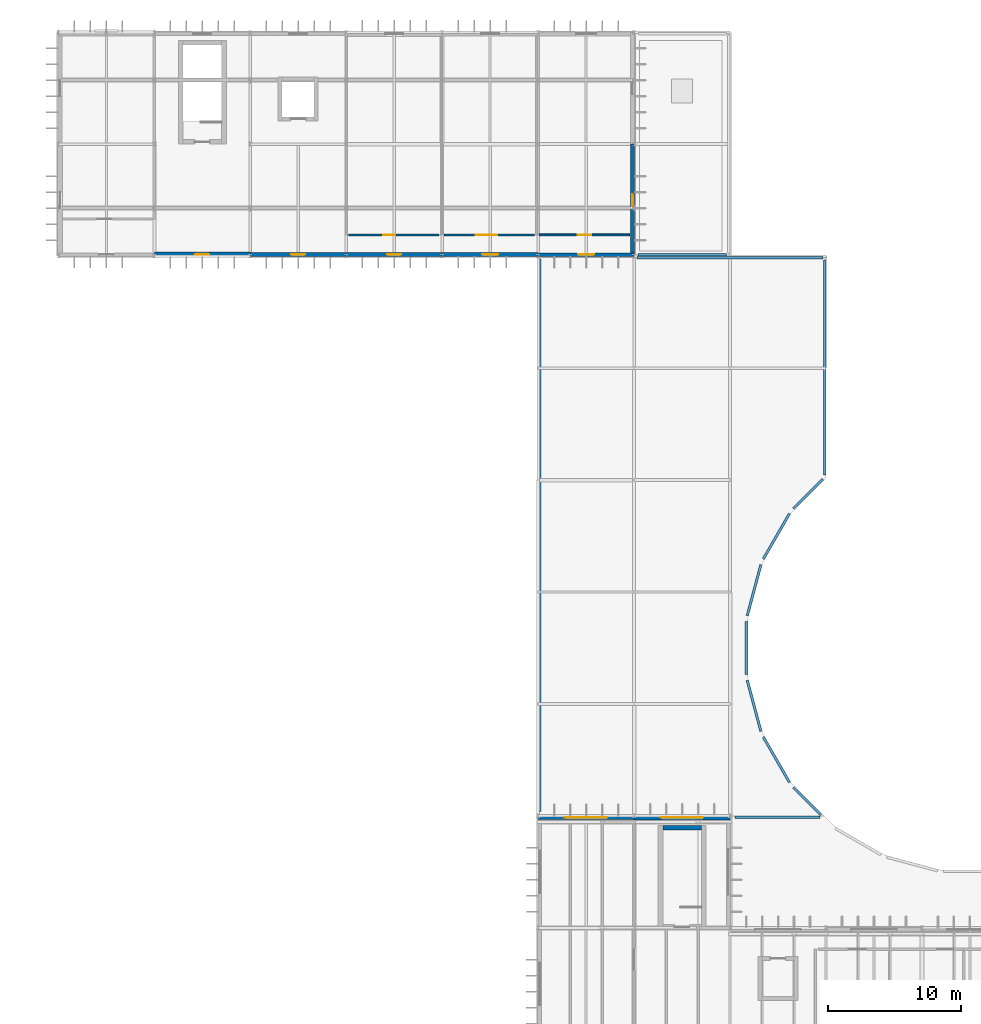
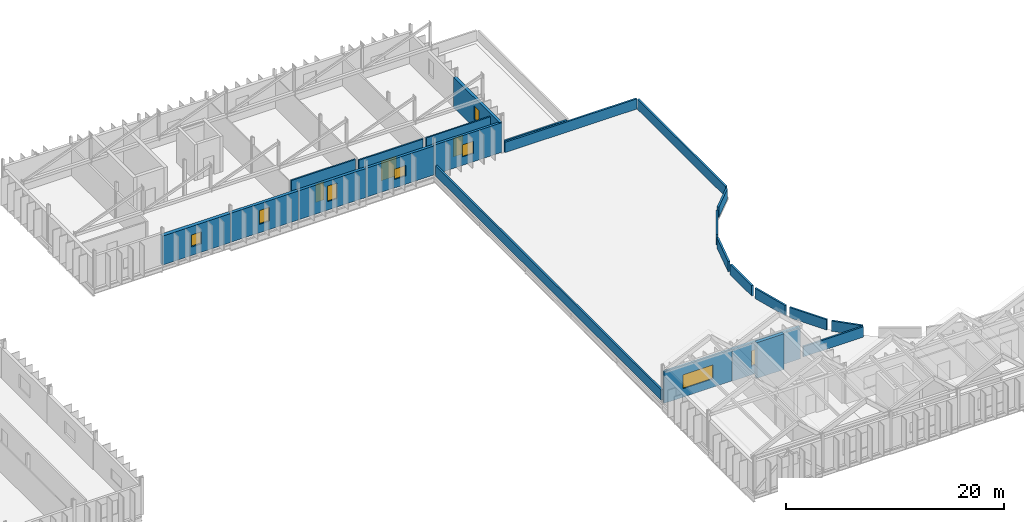
# One storey, part 40 of 52: 24 walls, 8 windows, 3 doors, 11 openings.
"""IFC4 building model written with IfcOpenShell, lengths in metres."""

from ifc_helpers import new_model, si_unit, direction, frame, frame_2d, origin, place, context, subcontext, project, spatial, rectangle, extrude, material, layer, layer_set, type_object, element, fill, save


model = new_model("IFC4")

# Units and contexts
model_context = context("Model", 3, precision=1e-05, world=origin(), true_north=direction((0.0, 1.0)))
body_context = subcontext(model_context, "Body", "Model", "MODEL_VIEW")
ifc_project = project(units=[si_unit("LENGTHUNIT", "METRE"), si_unit("AREAUNIT", "SQUARE_METRE"), si_unit("VOLUMEUNIT", "CUBIC_METRE"), si_unit("PLANEANGLEUNIT", "RADIAN"), si_unit("MASSUNIT", "GRAM", prefix="KILO")], contexts=[model_context])

# Site, building, storey
site_placement = place(None, origin())
site = spatial("IfcSite", under=ifc_project, at=site_placement, CompositionType="ELEMENT")
building_placement = place(site_placement, origin())
building = spatial("IfcBuilding", under=site, at=building_placement, Name="Qelthora Terrace Specialist Clinic", CompositionType="ELEMENT")
storey_placement = place(building_placement, frame((0.0, 0.0, 17.39990234375)))
storey = spatial("IfcBuildingStorey", under=building, at=storey_placement, Name="L04", CompositionType="ELEMENT", Elevation=17.39990234375)

# Wall
ifc_material_1 = material(Name="Concrete C40/50", Category="concrete")
ifc_layer_1 = layer(ifc_material_1, 0.35009765625)
ifc_layer_set_1 = layer_set([ifc_layer_1], Name="Concrete C40/50")
wall_type_1 = type_object("IfcWallType", Name="WAL-CORE-350-C40", PredefinedType="SHEAR", material=ifc_layer_set_1)
wall_1_placement = place(storey_placement, frame((102.949951171875, 49.52490234375, 0.0), z_axis=(0.0, 0.0, 1.0), x_axis=(1.0, 0.0, 0.0)))
element("IfcWall", 1, at=wall_1_placement, inside=storey, type_object=wall_type_1, Name="ST-05 L04 north shear core wall", PredefinedType="SHEAR", context=body_context, shape_type="SweptSolid", body=[
    extrude(rectangle(XDim=2.900146484375, YDim=0.35009765625, at=frame_2d((1.4501953125, 0.0))), origin(), (0.0, 0.0, 1.0), 4.0),
])

# Wall, opening, window
ifc_material_2 = material(Name="Precast concrete C40/50", Category="concrete")
ifc_layer_2 = layer(ifc_material_2, 0.260009765625)
ifc_layer_set_2 = layer_set([ifc_layer_2], Name="Precast concrete C40/50")
wall_type_2 = type_object("IfcWallType", Name="WAL-EXT-260-PC40", PredefinedType="SOLIDWALL", material=ifc_layer_set_2)
wall_2_placement = place(storey_placement, frame((93.60009765625, 50.280029296875, 0.0), z_axis=(0.0, 0.0, 1.0), x_axis=(1.0, 0.0, 0.0)))
wall_2 = element("IfcWall", 2, at=wall_2_placement, inside=storey, type_object=wall_type_2, Name="L04 external precast wall 354", PredefinedType="SOLIDWALL", context=body_context, shape_type="SweptSolid", body=[
    extrude(rectangle(XDim=7.199951171875, YDim=0.260009765625, at=frame_2d((3.60009765625, 0.0))), origin(), (0.0, 0.0, 1.0), 3.529052734375),
])
opening_1_placement = place(wall_2_placement, frame((2.0, 0.0, 0.949951171875)))
opening_1 = element("IfcOpeningElement", 3, at=opening_1_placement, cuts=wall_2, Name="Opening WN-L04-311", PredefinedType="OPENING", context=body_context, shape_type="SweptSolid", body=[
    extrude(rectangle(XDim=3.199951171875, YDim=1.550048828125, at=frame_2d((1.60009765625, 0.77490234375))), frame((0.0, 0.139892578125, 0.0), z_axis=(0.0, -1.0, 0.0), x_axis=(1.0, 0.0, 0.0)), (0.0, 0.0, 1.0), 0.280029296875),
])
ifc_material_3 = material(Name="Low-E triple-silver insulating glass", Category="glass")
window_type_1 = type_object("IfcWindowType", Name="WIN-3200X1550", PartitioningType="DOUBLE_PANEL_VERTICAL", PredefinedType="WINDOW", material=ifc_material_3)
window_1_placement = place(opening_1_placement, origin())
window_1 = element("IfcWindow", 4, at=window_1_placement, inside=storey, type_object=window_type_1, Name="Clinical window WN-L04-311", OverallHeight=1.550048828125, OverallWidth=3.199951171875, PartitioningType="SINGLE_PANEL", PredefinedType="WINDOW", context=body_context, shape_type="SweptSolid", body=[
    extrude(rectangle(XDim=3.199951171875, YDim=1.550048828125, at=frame_2d((1.60009765625, 0.77490234375))), frame((0.0, 0.030029296875, 0.0), z_axis=(0.0, -1.0, 0.0), x_axis=(1.0, 0.0, 0.0)), (0.0, 0.0, 1.0), 0.06005859375),
])
fill(opening_1, window_1)

wall_3_placement = place(storey_placement, frame((93.60009765625, 92.52001953125, 0.0), z_axis=(0.0, 0.0, 1.0), x_axis=(1.0, 0.0, 0.0)))
wall_3 = element("IfcWall", 5, at=wall_3_placement, inside=storey, type_object=wall_type_2, Name="L04 external precast wall 369", PredefinedType="SOLIDWALL", context=body_context, shape_type="SweptSolid", body=[
    extrude(rectangle(XDim=7.199951171875, YDim=0.260009765625, at=frame_2d((3.60009765625, 0.0))), origin(), (0.0, 0.0, 1.0), 3.3251953125),
])
opening_2_placement = place(wall_3_placement, frame((3.0, 0.0, 0.949951171875)))
opening_2 = element("IfcOpeningElement", 6, at=opening_2_placement, cuts=wall_3, Name="Opening WN-L04-326", PredefinedType="OPENING", context=body_context, shape_type="SweptSolid", body=[
    extrude(rectangle(XDim=1.199951171875, YDim=1.35009765625, at=frame_2d((0.60009765625, 0.675048828125))), frame((0.0, 0.139892578125, 0.0), z_axis=(0.0, -1.0, 0.0), x_axis=(1.0, 0.0, 0.0)), (0.0, 0.0, 1.0), 0.280029296875),
])
window_type_2 = type_object("IfcWindowType", Name="WIN-1200X1350", PartitioningType="SINGLE_PANEL", PredefinedType="WINDOW", material=ifc_material_3)
window_2_placement = place(opening_2_placement, origin())
window_2 = element("IfcWindow", 7, at=window_2_placement, inside=storey, type_object=window_type_2, Name="Clinical window WN-L04-326", OverallHeight=1.35009765625, OverallWidth=1.199951171875, PartitioningType="SINGLE_PANEL", PredefinedType="WINDOW", context=body_context, shape_type="SweptSolid", body=[
    extrude(rectangle(XDim=1.199951171875, YDim=1.35009765625, at=frame_2d((0.60009765625, 0.675048828125))), frame((0.0, 0.030029296875, 0.0), z_axis=(0.0, -1.0, 0.0), x_axis=(1.0, 0.0, 0.0)), (0.0, 0.0, 1.0), 0.06005859375),
])
fill(opening_2, window_2)

ifc_layer_3 = layer(ifc_material_2, 0.280029296875)
ifc_layer_set_3 = layer_set([ifc_layer_3], Name="Precast concrete C40/50")
wall_type_3 = type_object("IfcWallType", Name="WAL-EXT-280-PC40", PredefinedType="SOLIDWALL", material=ifc_layer_set_3)
wall_4_placement = place(storey_placement, frame((86.39990234375, 92.52001953125, 0.0), z_axis=(0.0, 0.0, 1.0), x_axis=(1.0, 0.0, 0.0)))
wall_4 = element("IfcWall", 8, at=wall_4_placement, inside=storey, type_object=wall_type_3, Name="L04 external precast wall 368", PredefinedType="SOLIDWALL", context=body_context, shape_type="SweptSolid", body=[
    extrude(rectangle(XDim=7.2001953125, YDim=0.280029296875, at=frame_2d((3.60009765625, 0.0))), origin(), (0.0, 0.0, 1.0), 3.254150390625),
])
opening_3_placement = place(wall_4_placement, frame((3.0, 0.0, 0.949951171875)))
opening_3 = element("IfcOpeningElement", 9, at=opening_3_placement, cuts=wall_4, Name="Opening WN-L04-325", PredefinedType="OPENING", context=body_context, shape_type="SweptSolid", body=[
    extrude(rectangle(XDim=1.199951171875, YDim=1.14990234375, at=frame_2d((0.60009765625, 0.574951171875))), frame((0.0, 0.14990234375, 0.0), z_axis=(0.0, -1.0, 0.0), x_axis=(1.0, 0.0, 0.0)), (0.0, 0.0, 1.0), 0.300048828125),
])
window_type_3 = type_object("IfcWindowType", Name="WIN-1200X1150", PartitioningType="SINGLE_PANEL", PredefinedType="WINDOW", material=ifc_material_3)
window_3_placement = place(opening_3_placement, origin())
window_3 = element("IfcWindow", 10, at=window_3_placement, inside=storey, type_object=window_type_3, Name="Clinical window WN-L04-325", OverallHeight=1.14990234375, OverallWidth=1.199951171875, PartitioningType="SINGLE_PANEL", PredefinedType="WINDOW", context=body_context, shape_type="SweptSolid", body=[
    extrude(rectangle(XDim=1.199951171875, YDim=1.14990234375, at=frame_2d((0.60009765625, 0.574951171875))), frame((0.0, 0.030029296875, 0.0), z_axis=(0.0, -1.0, 0.0), x_axis=(1.0, 0.0, 0.0)), (0.0, 0.0, 1.0), 0.06005859375),
])
fill(opening_3, window_3)

ifc_layer_4 = layer(ifc_material_2, 0.300048828125)
ifc_layer_set_4 = layer_set([ifc_layer_4], Name="Precast concrete C40/50")
wall_type_4 = type_object("IfcWallType", Name="WAL-EXT-300-PC40", PredefinedType="SOLIDWALL", material=ifc_layer_set_4)
wall_5_placement = place(storey_placement, frame((100.679931640625, 92.39990234375, 0.0), z_axis=(0.0, 0.0, 1.0), x_axis=(0.0, 1.0, 0.0)))
wall_5 = element("IfcWall", 11, at=wall_5_placement, inside=storey, type_object=wall_type_4, Name="L04 external precast wall 362", PredefinedType="SOLIDWALL", context=body_context, shape_type="SweptSolid", body=[
    extrude(rectangle(XDim=8.400146484375, YDim=0.300048828125, at=frame_2d((4.2001953125, 0.0))), origin(), (0.0, 0.0, 1.0), 3.405029296875),
])
opening_4_placement = place(wall_5_placement, frame((3.75, 0.0, 0.949951171875)))
opening_4 = element("IfcOpeningElement", 12, at=opening_4_placement, cuts=wall_5, Name="Opening WN-L04-319", PredefinedType="OPENING", context=body_context, shape_type="SweptSolid", body=[
    extrude(rectangle(XDim=0.89990234375, YDim=1.550048828125, at=frame_2d((0.449951171875, 0.77490234375))), frame((0.0, 0.159912109375, 0.0), z_axis=(0.0, -1.0, 0.0), x_axis=(1.0, 0.0, 0.0)), (0.0, 0.0, 1.0), 0.320068359375),
])
window_type_4 = type_object("IfcWindowType", Name="WIN-900X1550", PartitioningType="SINGLE_PANEL", PredefinedType="WINDOW", material=ifc_material_3)
window_4_placement = place(opening_4_placement, origin())
window_4 = element("IfcWindow", 13, at=window_4_placement, inside=storey, type_object=window_type_4, Name="Clinical window WN-L04-319", OverallHeight=1.550048828125, OverallWidth=0.89990234375, PartitioningType="SINGLE_PANEL", PredefinedType="WINDOW", context=body_context, shape_type="SweptSolid", body=[
    extrude(rectangle(XDim=0.89990234375, YDim=1.550048828125, at=frame_2d((0.449951171875, 0.77490234375))), frame((0.0, 0.030029296875, 0.0), z_axis=(0.0, -1.0, 0.0), x_axis=(1.0, 0.0, 0.0)), (0.0, 0.0, 1.0), 0.06005859375),
])
fill(opening_4, window_4)

wall_6_placement = place(storey_placement, frame((79.199951171875, 92.52001953125, 0.0), z_axis=(0.0, 0.0, 1.0), x_axis=(1.0, 0.0, 0.0)))
wall_6 = element("IfcWall", 14, at=wall_6_placement, inside=storey, type_object=wall_type_4, Name="L04 external precast wall 367", PredefinedType="SOLIDWALL", context=body_context, shape_type="SweptSolid", body=[
    extrude(rectangle(XDim=7.199951171875, YDim=0.300048828125, at=frame_2d((3.60009765625, 0.0))), origin(), (0.0, 0.0, 1.0), 3.2490234375),
])
opening_5_placement = place(wall_6_placement, frame((3.074951171875, 0.0, 0.949951171875)))
opening_5 = element("IfcOpeningElement", 15, at=opening_5_placement, cuts=wall_6, Name="Opening WN-L04-324", PredefinedType="OPENING", context=body_context, shape_type="SweptSolid", body=[
    extrude(rectangle(XDim=1.050048828125, YDim=1.75, at=frame_2d((0.52490234375, 0.875))), frame((0.0, 0.159912109375, 0.0), z_axis=(0.0, -1.0, 0.0), x_axis=(1.0, 0.0, 0.0)), (0.0, 0.0, 1.0), 0.320068359375),
])
window_type_5 = type_object("IfcWindowType", Name="WIN-1050X1750", PartitioningType="SINGLE_PANEL", PredefinedType="WINDOW", material=ifc_material_3)
window_5_placement = place(opening_5_placement, origin())
window_5 = element("IfcWindow", 16, at=window_5_placement, inside=storey, type_object=window_type_5, Name="Clinical window WN-L04-324", OverallHeight=1.75, OverallWidth=1.050048828125, PartitioningType="SINGLE_PANEL", PredefinedType="WINDOW", context=body_context, shape_type="SweptSolid", body=[
    extrude(rectangle(XDim=1.050048828125, YDim=1.75, at=frame_2d((0.52490234375, 0.875))), frame((0.0, 0.030029296875, 0.0), z_axis=(0.0, -1.0, 0.0), x_axis=(1.0, 0.0, 0.0)), (0.0, 0.0, 1.0), 0.06005859375),
])
fill(opening_5, window_5)

ifc_layer_5 = layer(ifc_material_2, 0.320068359375)
ifc_layer_set_5 = layer_set([ifc_layer_5], Name="Precast concrete C40/50")
wall_type_5 = type_object("IfcWallType", Name="WAL-EXT-320-PC40", PredefinedType="SOLIDWALL", material=ifc_layer_set_5)
wall_7_placement = place(storey_placement, frame((72.0, 92.52001953125, 0.0), z_axis=(0.0, 0.0, 1.0), x_axis=(1.0, 0.0, 0.0)))
wall_7 = element("IfcWall", 17, at=wall_7_placement, inside=storey, type_object=wall_type_5, Name="L04 external precast wall 366", PredefinedType="SOLIDWALL", context=body_context, shape_type="SweptSolid", body=[
    extrude(rectangle(XDim=7.199951171875, YDim=0.320068359375, at=frame_2d((3.60009765625, 0.0))), origin(), (0.0, 0.0, 1.0), 3.2490234375),
])
opening_6_placement = place(wall_7_placement, frame((3.074951171875, 0.0, 0.949951171875)))
opening_6 = element("IfcOpeningElement", 18, at=opening_6_placement, cuts=wall_7, Name="Opening WN-L04-323", PredefinedType="OPENING", context=body_context, shape_type="SweptSolid", body=[
    extrude(rectangle(XDim=1.050048828125, YDim=1.550048828125, at=frame_2d((0.52490234375, 0.77490234375))), frame((0.0, 0.169921875, 0.0), z_axis=(0.0, -1.0, 0.0), x_axis=(1.0, 0.0, 0.0)), (0.0, 0.0, 1.0), 0.340087890625),
])
window_type_6 = type_object("IfcWindowType", Name="WIN-1050X1550", PartitioningType="SINGLE_PANEL", PredefinedType="WINDOW", material=ifc_material_3)
window_6_placement = place(opening_6_placement, origin())
window_6 = element("IfcWindow", 19, at=window_6_placement, inside=storey, type_object=window_type_6, Name="Clinical window WN-L04-323", OverallHeight=1.550048828125, OverallWidth=1.050048828125, PartitioningType="SINGLE_PANEL", PredefinedType="WINDOW", context=body_context, shape_type="SweptSolid", body=[
    extrude(rectangle(XDim=1.050048828125, YDim=1.550048828125, at=frame_2d((0.52490234375, 0.77490234375))), frame((0.0, 0.030029296875, 0.0), z_axis=(0.0, -1.0, 0.0), x_axis=(1.0, 0.0, 0.0)), (0.0, 0.0, 1.0), 0.06005859375),
])
fill(opening_6, window_6)

ifc_layer_6 = layer(ifc_material_2, 0.3798828125)
ifc_layer_set_6 = layer_set([ifc_layer_6], Name="Precast concrete C40/50")
wall_type_6 = type_object("IfcWallType", Name="WAL-EXT-380-PC40", PredefinedType="SOLIDWALL", material=ifc_layer_set_6)
wall_8_placement = place(storey_placement, frame((100.800048828125, 50.280029296875, 0.0), z_axis=(0.0, 0.0, 1.0), x_axis=(1.0, 0.0, 0.0)))
wall_8 = element("IfcWall", 20, at=wall_8_placement, inside=storey, type_object=wall_type_6, Name="L04 external precast wall 355", PredefinedType="SOLIDWALL", context=body_context, shape_type="SweptSolid", body=[
    extrude(rectangle(XDim=7.199951171875, YDim=0.3798828125, at=frame_2d((3.60009765625, 0.0))), origin(), (0.0, 0.0, 1.0), 3.529052734375),
])
opening_7_placement = place(wall_8_placement, frame((2.0, 0.0, 0.949951171875)))
opening_7 = element("IfcOpeningElement", 21, at=opening_7_placement, cuts=wall_8, Name="Opening WN-L04-312", PredefinedType="OPENING", context=body_context, shape_type="SweptSolid", body=[
    extrude(rectangle(XDim=3.199951171875, YDim=1.75, at=frame_2d((1.60009765625, 0.875))), frame((0.0, 0.199951171875, 0.0), z_axis=(0.0, -1.0, 0.0), x_axis=(1.0, 0.0, 0.0)), (0.0, 0.0, 1.0), 0.39990234375),
])
window_type_7 = type_object("IfcWindowType", Name="WIN-3200X1750", PartitioningType="DOUBLE_PANEL_VERTICAL", PredefinedType="WINDOW", material=ifc_material_3)
window_7_placement = place(opening_7_placement, origin())
window_7 = element("IfcWindow", 22, at=window_7_placement, inside=storey, type_object=window_type_7, Name="Clinical window WN-L04-312", OverallHeight=1.75, OverallWidth=3.199951171875, PartitioningType="SINGLE_PANEL", PredefinedType="WINDOW", context=body_context, shape_type="SweptSolid", body=[
    extrude(rectangle(XDim=3.199951171875, YDim=1.75, at=frame_2d((1.60009765625, 0.875))), frame((0.0, 0.030029296875, 0.0), z_axis=(0.0, -1.0, 0.0), x_axis=(1.0, 0.0, 0.0)), (0.0, 0.0, 1.0), 0.06005859375),
])
fill(opening_7, window_7)

wall_9_placement = place(storey_placement, frame((64.800048828125, 92.52001953125, 0.0), z_axis=(0.0, 0.0, 1.0), x_axis=(1.0, 0.0, 0.0)))
wall_9 = element("IfcWall", 23, at=wall_9_placement, inside=storey, type_object=wall_type_6, Name="L04 external precast wall 365", PredefinedType="SOLIDWALL", context=body_context, shape_type="SweptSolid", body=[
    extrude(rectangle(XDim=7.199951171875, YDim=0.3798828125, at=frame_2d((3.60009765625, 0.0))), origin(), (0.0, 0.0, 1.0), 3.2490234375),
])
opening_8_placement = place(wall_9_placement, frame((3.074951171875, 0.0, 0.949951171875)))
opening_8 = element("IfcOpeningElement", 24, at=opening_8_placement, cuts=wall_9, Name="Opening WN-L04-322", PredefinedType="OPENING", context=body_context, shape_type="SweptSolid", body=[
    extrude(rectangle(XDim=1.050048828125, YDim=1.35009765625, at=frame_2d((0.52490234375, 0.675048828125))), frame((0.0, 0.199951171875, 0.0), z_axis=(0.0, -1.0, 0.0), x_axis=(1.0, 0.0, 0.0)), (0.0, 0.0, 1.0), 0.39990234375),
])
window_type_8 = type_object("IfcWindowType", Name="WIN-1050X1350", PartitioningType="SINGLE_PANEL", PredefinedType="WINDOW", material=ifc_material_3)
window_8_placement = place(opening_8_placement, origin())
window_8 = element("IfcWindow", 25, at=window_8_placement, inside=storey, type_object=window_type_8, Name="Clinical window WN-L04-322", OverallHeight=1.35009765625, OverallWidth=1.050048828125, PartitioningType="SINGLE_PANEL", PredefinedType="WINDOW", context=body_context, shape_type="SweptSolid", body=[
    extrude(rectangle(XDim=1.050048828125, YDim=1.35009765625, at=frame_2d((0.52490234375, 0.675048828125))), frame((0.0, 0.030029296875, 0.0), z_axis=(0.0, -1.0, 0.0), x_axis=(1.0, 0.0, 0.0)), (0.0, 0.0, 1.0), 0.06005859375),
])
fill(opening_8, window_8)

# Wall, opening, door
ifc_material_4 = material(Name="Gypsum fire-rated wallboard", Category="gypsum")
ifc_layer_7 = layer(ifc_material_4, 0.159912109375)
ifc_layer_set_7 = layer_set([ifc_layer_7], Name="Gypsum fire-rated wallboard")
wall_type_7 = type_object("IfcWallType", Name="WAL-INT-COR-160", PredefinedType="PARTITIONING", material=ifc_layer_set_7)
wall_10_placement = place(storey_placement, frame((86.169921875, 94.0, 0.0), z_axis=(0.0, 0.0, 1.0), x_axis=(-1.0, 0.0, 0.0)))
wall_10 = element("IfcWall", 26, at=wall_10_placement, inside=storey, type_object=wall_type_7, Name="Interior clinical partition IWAL-L04-0384", PredefinedType="PARTITIONING", context=body_context, shape_type="SweptSolid", body=[
    extrude(rectangle(XDim=6.7900390625, YDim=0.159912109375, at=frame_2d((3.39501953125, 0.0))), origin(), (0.0, 0.0, 1.0), 3.408203125),
])
opening_9_placement = place(wall_10_placement, frame((3.304931640625, 0.0, 0.0)))
opening_9 = element("IfcOpeningElement", 27, at=opening_9_placement, cuts=wall_10, Name="Opening DI-L04-0153", PredefinedType="OPENING", context=body_context, shape_type="SweptSolid", body=[
    extrude(rectangle(XDim=0.89990234375, YDim=2.0400390625, at=frame_2d((0.449951171875, 1.02001953125))), frame((0.0, 0.08984375, 0.0), z_axis=(0.0, -1.0, 0.0), x_axis=(1.0, 0.0, 0.0)), (0.0, 0.0, 1.0), 0.179931640625),
])
ifc_material_5 = material(Name="Glulam timber GL28h", Category="wood")
door_type_1 = type_object("IfcDoorType", Name="DOR-ENS-900X2040", OperationType="NOTDEFINED", PredefinedType="DOOR", material=ifc_material_5)
door_1_placement = place(opening_9_placement, frame((0.89990234375, 0.0, 0.0), z_axis=(0.0, 0.0, 1.0), x_axis=(-1.0, 0.0, 0.0)))
door_1 = element("IfcDoor", 28, at=door_1_placement, inside=storey, type_object=door_type_1, Name="Interior clinical door DI-L04-0153", OperationType="SINGLE_SWING_RIGHT", OverallHeight=2.0400390625, OverallWidth=0.89990234375, PredefinedType="DOOR", context=body_context, shape_type="SweptSolid", body=[
    extrude(rectangle(XDim=0.89990234375, YDim=2.0400390625, at=frame_2d((0.449951171875, 1.02001953125))), frame((0.0, 0.02490234375, 0.0), z_axis=(0.0, -1.0, 0.0), x_axis=(1.0, 0.0, 0.0)), (0.0, 0.0, 1.0), 0.050048828125),
])
fill(opening_9, door_1)

wall_11_placement = place(storey_placement, frame((93.320068359375, 94.0, 0.0), z_axis=(0.0, 0.0, 1.0), x_axis=(-1.0, 0.0, 0.0)))
wall_11 = element("IfcWall", 29, at=wall_11_placement, inside=storey, type_object=wall_type_7, Name="Interior clinical partition IWAL-L04-0386", PredefinedType="PARTITIONING", context=body_context, shape_type="SweptSolid", body=[
    extrude(rectangle(XDim=6.7900390625, YDim=0.159912109375, at=frame_2d((3.39501953125, 0.0))), origin(), (0.0, 0.0, 1.0), 3.175048828125),
])
opening_10_placement = place(wall_11_placement, frame((2.77001953125, 0.0, 0.0)))
opening_10 = element("IfcOpeningElement", 30, at=opening_10_placement, cuts=wall_11, Name="Opening DI-L04-0154", PredefinedType="OPENING", context=body_context, shape_type="SweptSolid", body=[
    extrude(rectangle(XDim=1.64990234375, YDim=2.199951171875, at=frame_2d((0.824951171875, 1.10009765625))), frame((0.0, 0.08984375, 0.0), z_axis=(0.0, -1.0, 0.0), x_axis=(1.0, 0.0, 0.0)), (0.0, 0.0, 1.0), 0.179931640625),
])
ifc_material_6 = material(Name="Aluminium anodized bronze", Category="aluminium")
door_type_2 = type_object("IfcDoorType", Name="DOR-GYM-1650X2200", OperationType="NOTDEFINED", PredefinedType="DOOR", material=ifc_material_6)
door_2_placement = place(opening_10_placement, frame((1.64990234375, 0.0, 0.0), z_axis=(0.0, 0.0, 1.0), x_axis=(-1.0, 0.0, 0.0)))
door_2 = element("IfcDoor", 31, at=door_2_placement, inside=storey, type_object=door_type_2, Name="Interior clinical door DI-L04-0154", OperationType="DOUBLE_DOOR_SINGLE_SWING", OverallHeight=2.199951171875, OverallWidth=1.64990234375, PredefinedType="DOOR", context=body_context, shape_type="SweptSolid", body=[
    extrude(rectangle(XDim=1.64990234375, YDim=2.199951171875, at=frame_2d((0.824951171875, 1.10009765625))), frame((0.0, 0.02490234375, 0.0), z_axis=(0.0, -1.0, 0.0), x_axis=(1.0, 0.0, 0.0)), (0.0, 0.0, 1.0), 0.050048828125),
])
fill(opening_10, door_2)

ifc_material_7 = material(Name="Gypsum moisture-resistant", Category="gypsum")
ifc_layer_8 = layer(ifc_material_7, 0.14990234375)
ifc_layer_set_8 = layer_set([ifc_layer_8], Name="Gypsum moisture-resistant")
wall_type_8 = type_object("IfcWallType", Name="WAL-INT-WET-150", PredefinedType="PLUMBINGWALL", material=ifc_layer_set_8)
wall_12_placement = place(storey_placement, frame((100.4599609375, 94.0, 0.0), z_axis=(0.0, 0.0, 1.0), x_axis=(-1.0, 0.0, 0.0)))
wall_12 = element("IfcWall", 32, at=wall_12_placement, inside=storey, type_object=wall_type_8, Name="Interior clinical partition IWAL-L04-0387", PredefinedType="PLUMBINGWALL", context=body_context, shape_type="SweptSolid", body=[
    extrude(rectangle(XDim=6.780029296875, YDim=0.14990234375, at=frame_2d((3.39013671875, 0.0))), origin(), (0.0, 0.0, 1.0), 3.175048828125),
])
opening_11_placement = place(wall_12_placement, frame((2.889892578125, 0.0, 0.0)))
opening_11 = element("IfcOpeningElement", 33, at=opening_11_placement, cuts=wall_12, Name="Opening DI-L04-0155", PredefinedType="OPENING", context=body_context, shape_type="SweptSolid", body=[
    extrude(rectangle(XDim=1.0, YDim=2.10009765625, at=frame_2d((0.5, 1.050048828125))), frame((0.0, 0.0849609375, 0.0), z_axis=(0.0, -1.0, 0.0), x_axis=(1.0, 0.0, 0.0)), (0.0, 0.0, 1.0), 0.169921875),
])
door_type_3 = type_object("IfcDoorType", Name="DOR-AWC-1000X2100", OperationType="NOTDEFINED", PredefinedType="DOOR", material=ifc_material_5)
door_3_placement = place(opening_11_placement, frame((1.0, 0.0, 0.0), z_axis=(0.0, 0.0, 1.0), x_axis=(-1.0, 0.0, 0.0)))
door_3 = element("IfcDoor", 34, at=door_3_placement, inside=storey, type_object=door_type_3, Name="Interior clinical door DI-L04-0155", OperationType="SINGLE_SWING_RIGHT", OverallHeight=2.10009765625, OverallWidth=1.0, PredefinedType="DOOR", context=body_context, shape_type="SweptSolid", body=[
    extrude(rectangle(XDim=1.0, YDim=2.10009765625, at=frame_2d((0.5, 1.050048828125))), frame((0.0, 0.02490234375, 0.0), z_axis=(0.0, -1.0, 0.0), x_axis=(1.0, 0.0, 0.0)), (0.0, 0.0, 1.0), 0.050048828125),
])
fill(opening_11, door_3)

# Walls
ifc_layer_9 = layer(ifc_material_2, 0.18994140625)
ifc_layer_set_9 = layer_set([ifc_layer_9], Name="Precast concrete C40/50")
wall_type_9 = type_object("IfcWallType", Name="WAL-PAR-190-PC40", PredefinedType="PARAPET", material=ifc_layer_set_9)
wall_13_placement = place(storey_placement, frame((107.722900390625, 92.510009765625, 0.0), z_axis=(0.0, 0.0, 1.0), x_axis=(-1.0, 0.0, 0.0)))
element("IfcWall", 35, at=wall_13_placement, inside=storey, type_object=wall_type_9, Name="Roof perimeter parapet ROOF-V6-STP4-1-2", PredefinedType="PARAPET", context=body_context, shape_type="SweptSolid", body=[
    extrude(rectangle(XDim=6.61328125, YDim=0.18994140625, at=frame_2d((3.306640625, 0.0))), origin(), (0.0, 0.0, 1.0), 1.150146484375),
])
wall_14_placement = place(storey_placement, frame((101.00732421875, 92.2900390625, 0.0), z_axis=(0.0, 0.0, 1.0), x_axis=(1.0, 0.0, 0.0)))
element("IfcWall", 36, at=wall_14_placement, inside=storey, type_object=wall_type_9, Name="Roof perimeter parapet ROOF-V4-STP4A-1-1", PredefinedType="PARAPET", context=body_context, shape_type="SweptSolid", body=[
    extrude(rectangle(XDim=13.97265625, YDim=0.18994140625, at=frame_2d((6.986328125, 0.0))), origin(), (0.0, 0.0, 1.0), 1.150146484375),
])
wall_15_placement = place(storey_placement, frame((115.090087890625, 92.123046875, 0.0), z_axis=(0.0, 0.0, 1.0), x_axis=(0.0, -1.0, 0.0)))
element("IfcWall", 37, at=wall_15_placement, inside=storey, type_object=wall_type_9, Name="Roof perimeter parapet ROOF-V4-STP4A-1-2", PredefinedType="PARAPET", context=body_context, shape_type="SweptSolid", body=[
    extrude(rectangle(XDim=16.1474609375, YDim=0.18994140625, at=frame_2d((8.07373046875, 0.0))), origin(), (0.0, 0.0, 1.0), 1.150146484375),
])
wall_16_placement = place(storey_placement, frame((114.966796875, 75.677734375, 0.0), z_axis=(0.0, 0.0, 1.0), x_axis=(-0.707106781187, -0.707106781187, 0.0)))
element("IfcWall", 38, at=wall_16_placement, inside=storey, type_object=wall_type_9, Name="Roof perimeter parapet ROOF-V4-STP4A-1-3", PredefinedType="PARAPET", context=body_context, shape_type="SweptSolid", body=[
    extrude(rectangle(XDim=3.1357421875, YDim=0.18994140625, at=frame_2d((1.56787109375, 0.0))), origin(), (0.0, 0.0, 1.0), 1.150146484375),
])
for number, where, z_axis, x_axis, name in (
    (39, (112.46630859375, 73.091796875, 0.0), (0.0, 0.0, 1.0), (-0.499945624459, -0.866056795242, 0.0), "Roof perimeter parapet ROOF-V4-STP4A-1-4"),
    (40, (110.315673828125, 69.2451171875, 0.0), (0.0, 0.0, 1.0), (-0.258821652005, -0.965925127768, 0.0), "Roof perimeter parapet ROOF-V4-STP4A-1-5"),
    (41, (109.233642578125, 64.972900390625, 0.0), (0.0, 0.0, 1.0), (0.0, -1.0, 0.0), "Roof perimeter parapet ROOF-V4-STP4A-1-6"),
    (42, (109.29443359375, 60.566162109375, 0.0), (0.0, 0.0, 1.0), (0.258821652005, -0.965925127768, 0.0), "Roof perimeter parapet ROOF-V4-STP4A-1-7"),
    (43, (110.49365234375, 56.325439453125, 0.0), (0.0, 0.0, 1.0), (0.499945624459, -0.866056795242, 0.0), "Roof perimeter parapet ROOF-V4-STP4A-1-8"),
):
    element("IfcWall", number, at=place(storey_placement, frame(where, z_axis=z_axis, x_axis=x_axis)), inside=storey, type_object=wall_type_9, Name=name, PredefinedType="PARAPET", context=body_context, shape_type="SweptSolid", body=[
        extrude(rectangle(XDim=3.94580078125, YDim=0.18994140625, at=frame_2d((1.972900390625, 0.0))), origin(), (0.0, 0.0, 1.0), 1.150146484375),
    ])
wall_17_placement = place(storey_placement, frame((112.74951171875, 52.53955078125, 0.0), z_axis=(0.0, 0.0, 1.0), x_axis=(0.707064912058, -0.707148647836, 0.0)))
element("IfcWall", 44, at=wall_17_placement, inside=storey, type_object=wall_type_9, Name="Roof perimeter parapet ROOF-V4-STP4A-1-9", PredefinedType="PARAPET", context=body_context, shape_type="SweptSolid", body=[
    extrude(rectangle(XDim=2.91552734375, YDim=0.18994140625, at=frame_2d((1.457763671875, 0.0))), origin(), (0.0, 0.0, 1.0), 1.150146484375),
])
wall_18_placement = place(storey_placement, frame((93.7099609375, 50.719482421875, 0.0), z_axis=(0.0, 0.0, 1.0), x_axis=(0.0, 1.0, 0.0)))
element("IfcWall", 45, at=wall_18_placement, inside=storey, type_object=wall_type_9, Name="Roof perimeter parapet ROOF-V4-STP4A-1-10", PredefinedType="PARAPET", context=body_context, shape_type="SweptSolid", body=[
    extrude(rectangle(XDim=41.46044921875, YDim=0.18994140625, at=frame_2d((20.730224609375, 0.0))), origin(), (0.0, 0.0, 1.0), 1.150146484375),
])
wall_19_placement = place(storey_placement, frame((108.369384765625, 50.2900390625, 0.0), z_axis=(0.0, 0.0, 1.0), x_axis=(1.0, 0.0, 0.0)))
element("IfcWall", 46, at=wall_19_placement, inside=storey, type_object=wall_type_9, Name="Roof perimeter parapet ROOF-V4-STP4B-1-1", PredefinedType="PARAPET", context=body_context, shape_type="SweptSolid", body=[
    extrude(rectangle(XDim=6.37353515625, YDim=0.18994140625, at=frame_2d((3.186767578125, 0.0))), origin(), (0.0, 0.0, 1.0), 1.150146484375),
])

save(model, "model.ifc")
